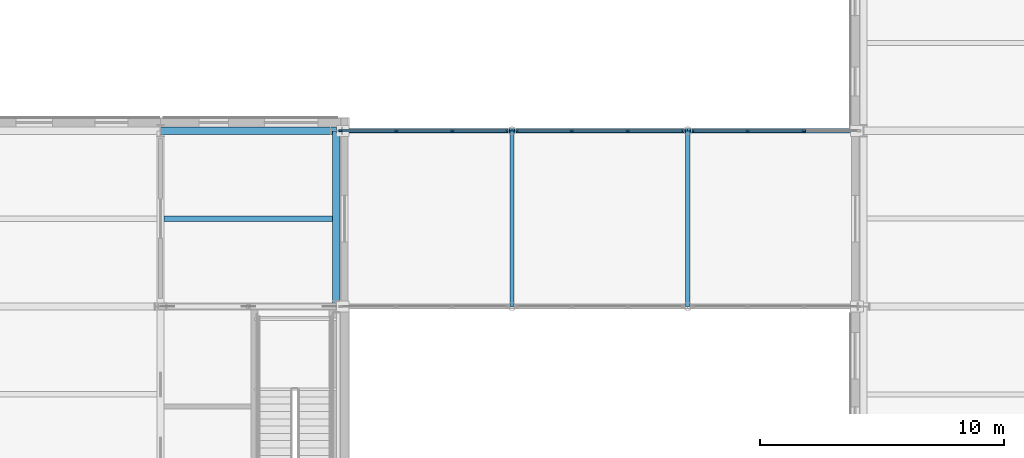
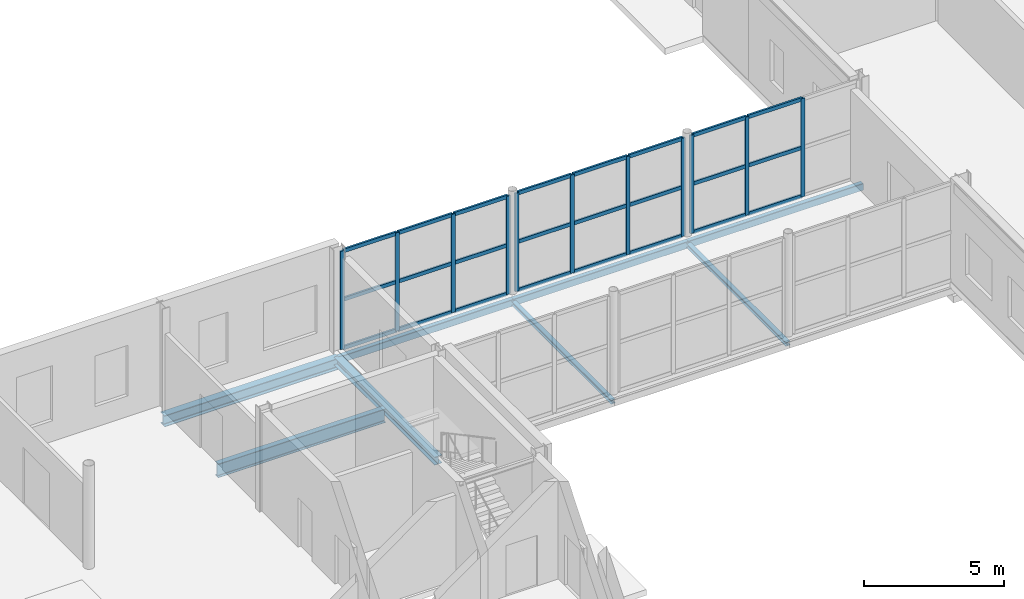
# One storey, part 30 of 92: 35 members, 8 beams, 3 elements without a shape of their own.
"""IFC4 building model written with IfcOpenShell, lengths in metres."""

from ifc_helpers import new_model, si_unit, direction, frame, origin, origin_2d, place, context, subcontext, project, spatial, rectangle, hollow_rectangle, i_section, extrude, material, material_profile, profile_set, type_object, element, aggregate, save


model = new_model("IFC4")

# Units and contexts
model_context = context("Model", 3, precision=1e-05, world=origin(), true_north=direction((0.0, 1.0)))
body_context = subcontext(model_context, "Body", "Model", "MODEL_VIEW")
ifc_project = project(units=[si_unit("LENGTHUNIT", "METRE"), si_unit("AREAUNIT", "SQUARE_METRE"), si_unit("VOLUMEUNIT", "CUBIC_METRE"), si_unit("PLANEANGLEUNIT", "RADIAN"), si_unit("MASSUNIT", "GRAM", prefix="KILO")], contexts=[model_context])

# Site, building, storey
site_placement = place(None, origin())
site = spatial("IfcSite", under=ifc_project, at=site_placement, CompositionType="ELEMENT")
building_placement = place(site_placement, origin())
building = spatial("IfcBuilding", under=site, at=building_placement, Name="Zlatovets Crest Museum", CompositionType="ELEMENT")
storey_placement = place(building_placement, origin())
storey = spatial("IfcBuildingStorey", under=building, at=storey_placement, Name="L00", CompositionType="ELEMENT", Elevation=0.0)

# Beams
ifc_material_1 = material(Name="Structural steel S355J2", Category="steel")
ifc_material_profile_1 = material_profile(ifc_material_1, i_section(OverallWidth=0.300048828125, OverallDepth=0.489990234375, WebThickness=0.011962890625, FlangeThickness=0.02294921875, FilletRadius=0.027099609375, at=origin_2d()), Name="HEA 500")
ifc_profile_set_1 = profile_set([ifc_material_profile_1], Name="Structural steel S355J2")
beam_type_1 = type_object("IfcBeamType", Name="Beam_B-01", PredefinedType="BEAM", material=ifc_profile_set_1)
beam_1_placement = place(storey_placement, frame((100.800048828125, 28.800048828125, -0.4951171875), z_axis=(1.0, 0.0, 0.0), x_axis=(0.0, 1.0, 0.0)))
element("IfcBeam", 1, at=beam_1_placement, inside=storey, type_object=beam_type_1, Name="V2 L00 Primary Girder B-01", PredefinedType="BEAM", context=body_context, shape_type="SweptSolid", body=[
    extrude(i_section(OverallWidth=0.300048828125, OverallDepth=0.489990234375, WebThickness=0.011962890625, FlangeThickness=0.02294921875, FilletRadius=0.027099609375, at=origin_2d()), origin(), (0.0, 0.0, 1.0), 7.199951171875),
])
ifc_material_profile_2 = material_profile(ifc_material_1, i_section(OverallWidth=0.300048828125, OverallDepth=0.35009765625, WebThickness=0.010009765625, FlangeThickness=0.017578125, FilletRadius=0.027099609375, at=origin_2d()), Name="HEA 360")
ifc_profile_set_2 = profile_set([ifc_material_profile_2], Name="Structural steel S355J2")
beam_type_2 = type_object("IfcBeamType", Name="Beam_B-03", PredefinedType="BEAM", material=ifc_profile_set_2)
beam_2_placement = place(storey_placement, frame((108.0, 21.60009765625, -0.425048828125), z_axis=(0.0, 1.0, 0.0), x_axis=(-1.0, 0.0, 0.0)))
element("IfcBeam", 2, at=beam_2_placement, inside=storey, type_object=beam_type_2, Name="V2 L00 Grid Beam B-03", PredefinedType="BEAM", context=body_context, shape_type="SweptSolid", body=[
    extrude(i_section(OverallWidth=0.300048828125, OverallDepth=0.35009765625, WebThickness=0.010009765625, FlangeThickness=0.017578125, FilletRadius=0.027099609375, at=origin_2d()), origin(), (0.0, 0.0, 1.0), 7.199951171875),
])
ifc_material_profile_3 = material_profile(ifc_material_1, i_section(OverallWidth=0.179931640625, OverallDepth=0.1708984375, WebThickness=0.006103515625, FlangeThickness=0.009521484375, FilletRadius=0.014892578125, at=origin_2d()), Name="HEA 180")
ifc_profile_set_3 = profile_set([ifc_material_profile_3], Name="Structural steel S355J2")
beam_type_3 = type_object("IfcBeamType", Name="Beam_B-16", PredefinedType="BEAM", material=ifc_profile_set_3)
for number, where, z_axis, x_axis, name in (
    (3, (115.199951171875, 21.60009765625, -0.39990234375), (0.0, 1.0, 0.0), (-1.0, 0.0, 0.0), "Southeast Archive Glazed Link Bridge L00 Cross Beam"),
    (4, (122.39990234375, 21.60009765625, -0.39990234375), (0.0, 1.0, 0.0), (-1.0, 0.0, 0.0), "Southeast Archive Glazed Link Bridge L00 Cross Beam"),
):
    element("IfcBeam", number, at=place(storey_placement, frame(where, z_axis=z_axis, x_axis=x_axis)), inside=storey, type_object=beam_type_3, Name=name, PredefinedType="BEAM", context=body_context, shape_type="SweptSolid", body=[
        extrude(i_section(OverallWidth=0.179931640625, OverallDepth=0.1708984375, WebThickness=0.006103515625, FlangeThickness=0.009521484375, FilletRadius=0.014892578125, at=origin_2d()), origin(), (0.0, 0.0, 1.0), 7.199951171875),
    ])
ifc_material_profile_4 = material_profile(ifc_material_1, hollow_rectangle(XDim=0.199951171875, YDim=0.300048828125, WallThickness=0.012451171875, InnerFilletRadius=0.012451171875, OuterFilletRadius=0.02490234375, at=origin_2d()), Name="RHS 200x300x12.5")
ifc_profile_set_4 = profile_set([ifc_material_profile_4], Name="Structural steel S355J2")
beam_type_4 = type_object("IfcBeamType", Name="Beam_BRG-01", PredefinedType="BEAM", material=ifc_profile_set_4)
for number, where, z_axis, x_axis, name in (
    (5, (108.0, 28.800048828125, -0.39990234375), (1.0, 0.0, 0.0), (0.0, 1.0, 0.0), "Southeast Archive Glazed Link Bridge L00 Stringer Beam"),
    (6, (115.199951171875, 28.800048828125, -0.39990234375), (1.0, 0.0, 0.0), (0.0, 1.0, 0.0), "Southeast Archive Glazed Link Bridge L00 Stringer Beam"),
):
    element("IfcBeam", number, at=place(storey_placement, frame(where, z_axis=z_axis, x_axis=x_axis)), inside=storey, type_object=beam_type_4, Name=name, PredefinedType="BEAM", context=body_context, shape_type="SweptSolid", body=[
        extrude(hollow_rectangle(XDim=0.199951171875, YDim=0.300048828125, WallThickness=0.012451171875, InnerFilletRadius=0.012451171875, OuterFilletRadius=0.02490234375, at=origin_2d()), origin(), (0.0, 0.0, 1.0), 7.199951171875),
    ])
beam_3_placement = place(storey_placement, frame((122.39990234375, 28.800048828125, -0.39990234375), z_axis=(1.0, 0.0, 0.0), x_axis=(0.0, 1.0, 0.0)))
element("IfcBeam", 7, at=beam_3_placement, inside=storey, type_object=beam_type_4, Name="Southeast Archive Glazed Link Bridge L00 Stringer Beam", PredefinedType="BEAM", context=body_context, shape_type="SweptSolid", body=[
    extrude(hollow_rectangle(XDim=0.199951171875, YDim=0.300048828125, WallThickness=0.012451171875, InnerFilletRadius=0.012451171875, OuterFilletRadius=0.02490234375, at=origin_2d()), origin(), (0.0, 0.0, 1.0), 7.2001953125),
])
ifc_material_profile_5 = material_profile(ifc_material_1, i_section(OverallWidth=0.219970703125, OverallDepth=0.60009765625, WebThickness=0.011962890625, FlangeThickness=0.01904296875, FilletRadius=0.02392578125, at=origin_2d()), Name="IPE 600")
ifc_profile_set_5 = profile_set([ifc_material_profile_5], Name="Structural steel S355J2")
beam_type_5 = type_object("IfcBeamType", Name="Beam_J-08", PredefinedType="BEAM", material=ifc_profile_set_5)
beam_4_placement = place(storey_placement, frame((100.949951171875, 25.199951171875, -0.550048828125), z_axis=(1.0, 0.0, 0.0), x_axis=(0.0, 1.0, 0.0)))
element("IfcBeam", 8, at=beam_4_placement, inside=storey, type_object=beam_type_5, Name="V2 L00 Composite Joist J-08", PredefinedType="BEAM", context=body_context, shape_type="SweptSolid", body=[
    extrude(i_section(OverallWidth=0.219970703125, OverallDepth=0.60009765625, WebThickness=0.011962890625, FlangeThickness=0.01904296875, FilletRadius=0.02392578125, at=origin_2d()), origin(), (0.0, 0.0, 1.0), 6.900146484375),
])

# Curtain wall, members
ifc_material_2 = material(Name="Bronze-anodised aluminium and low-E triple glass", Category="aluminium")
curtain_wall_type = type_object("IfcCurtainWallType", Name="CW_CW-BR4-L00-S69", PredefinedType="NOTDEFINED", material=ifc_material_2)
curtain_wall_1_placement = place(storey_placement, origin())
curtain_wall_1 = element("IfcCurtainWall", 9, at=curtain_wall_1_placement, inside=storey, type_object=curtain_wall_type, Name="Southeast Archive Glazed Link Bridge L00 Glazed Bridge Curtain Wall", PredefinedType="NOTDEFINED")
ifc_material_3 = material(Name="Bronze-anodised aluminium EN AW-6060", Category="aluminium")
ifc_material_profile_6 = material_profile(ifc_material_3, rectangle(XDim=0.080078125, YDim=0.159912109375, at=origin_2d()), Name="ALU 80x160")
ifc_profile_set_6 = profile_set([ifc_material_profile_6], Name="Bronze-anodised aluminium EN AW-6060")
member_type_1 = type_object("IfcMemberType", Name="CWMull_M1", PredefinedType="MULLION", material=ifc_profile_set_6)
member_1_placement = place(storey_placement, frame((108.179931640625, 28.800048828125, 0.0), z_axis=(0.0, 0.0, 1.0), x_axis=(0.0, 1.0, 0.0)))
member_1 = element("IfcMember", 10, at=member_1_placement, type_object=member_type_1, Name="CW-BR4-L00-S69 mullion 1", PredefinedType="MULLION", context=body_context, shape_type="SweptSolid", body=[
    extrude(rectangle(XDim=0.080078125, YDim=0.159912109375, at=origin_2d()), origin(), (0.0, 0.0, 1.0), 4.280029296875),
])
member_2_placement = place(storey_placement, frame((110.449951171875, 28.800048828125, 0.0), z_axis=(0.0, 0.0, 1.0), x_axis=(0.0, 1.0, 0.0)))
member_2 = element("IfcMember", 11, at=member_2_placement, type_object=member_type_1, Name="CW-BR4-L00-S69 mullion 2", PredefinedType="MULLION", context=body_context, shape_type="SweptSolid", body=[
    extrude(rectangle(XDim=0.080078125, YDim=0.159912109375, at=origin_2d()), origin(), (0.0, 0.0, 1.0), 4.280029296875),
])
member_3_placement = place(storey_placement, frame((112.75, 28.800048828125, 0.0), z_axis=(0.0, 0.0, 1.0), x_axis=(0.0, 1.0, 0.0)))
member_3 = element("IfcMember", 12, at=member_3_placement, type_object=member_type_1, Name="CW-BR4-L00-S69 mullion 3", PredefinedType="MULLION", context=body_context, shape_type="SweptSolid", body=[
    extrude(rectangle(XDim=0.080078125, YDim=0.159912109375, at=origin_2d()), origin(), (0.0, 0.0, 1.0), 4.280029296875),
])
member_4_placement = place(storey_placement, frame((115.02001953125, 28.800048828125, 0.0), z_axis=(0.0, 0.0, 1.0), x_axis=(0.0, 1.0, 0.0)))
member_4 = element("IfcMember", 13, at=member_4_placement, type_object=member_type_1, Name="CW-BR4-L00-S69 mullion 4", PredefinedType="MULLION", context=body_context, shape_type="SweptSolid", body=[
    extrude(rectangle(XDim=0.080078125, YDim=0.159912109375, at=origin_2d()), origin(), (0.0, 0.0, 1.0), 4.280029296875),
])

curtain_wall_2_placement = place(storey_placement, origin())
curtain_wall_2 = element("IfcCurtainWall", 14, at=curtain_wall_2_placement, inside=storey, type_object=curtain_wall_type, Name="Southeast Archive Glazed Link Bridge L00 Glazed Bridge Curtain Wall", PredefinedType="NOTDEFINED")
member_5_placement = place(storey_placement, frame((115.3798828125, 28.800048828125, 0.0), z_axis=(0.0, 0.0, 1.0), x_axis=(0.0, 1.0, 0.0)))
member_5 = element("IfcMember", 15, at=member_5_placement, type_object=member_type_1, Name="CW-BR4-L00-S69 mullion 1", PredefinedType="MULLION", context=body_context, shape_type="SweptSolid", body=[
    extrude(rectangle(XDim=0.080078125, YDim=0.159912109375, at=origin_2d()), origin(), (0.0, 0.0, 1.0), 4.280029296875),
])
member_6_placement = place(storey_placement, frame((117.64990234375, 28.800048828125, 0.0), z_axis=(0.0, 0.0, 1.0), x_axis=(0.0, 1.0, 0.0)))
member_6 = element("IfcMember", 16, at=member_6_placement, type_object=member_type_1, Name="CW-BR4-L00-S69 mullion 2", PredefinedType="MULLION", context=body_context, shape_type="SweptSolid", body=[
    extrude(rectangle(XDim=0.080078125, YDim=0.159912109375, at=origin_2d()), origin(), (0.0, 0.0, 1.0), 4.280029296875),
])
member_7_placement = place(storey_placement, frame((119.949951171875, 28.800048828125, 0.0), z_axis=(0.0, 0.0, 1.0), x_axis=(0.0, 1.0, 0.0)))
member_7 = element("IfcMember", 17, at=member_7_placement, type_object=member_type_1, Name="CW-BR4-L00-S69 mullion 3", PredefinedType="MULLION", context=body_context, shape_type="SweptSolid", body=[
    extrude(rectangle(XDim=0.080078125, YDim=0.159912109375, at=origin_2d()), origin(), (0.0, 0.0, 1.0), 4.280029296875),
])
member_8_placement = place(storey_placement, frame((122.219970703125, 28.800048828125, 0.0), z_axis=(0.0, 0.0, 1.0), x_axis=(0.0, 1.0, 0.0)))
member_8 = element("IfcMember", 18, at=member_8_placement, type_object=member_type_1, Name="CW-BR4-L00-S69 mullion 4", PredefinedType="MULLION", context=body_context, shape_type="SweptSolid", body=[
    extrude(rectangle(XDim=0.080078125, YDim=0.159912109375, at=origin_2d()), origin(), (0.0, 0.0, 1.0), 4.280029296875),
])

curtain_wall_3_placement = place(storey_placement, origin())
curtain_wall_3 = element("IfcCurtainWall", 19, at=curtain_wall_3_placement, inside=storey, type_object=curtain_wall_type, Name="Southeast Archive Glazed Link Bridge L00 Glazed Bridge Curtain Wall", PredefinedType="NOTDEFINED")
member_9_placement = place(storey_placement, frame((122.580078125, 28.800048828125, 0.0), z_axis=(0.0, 0.0, 1.0), x_axis=(0.0, 1.0, 0.0)))
member_9 = element("IfcMember", 20, at=member_9_placement, type_object=member_type_1, Name="CW-BR4-L00-S69 mullion 1", PredefinedType="MULLION", context=body_context, shape_type="SweptSolid", body=[
    extrude(rectangle(XDim=0.080078125, YDim=0.159912109375, at=origin_2d()), origin(), (0.0, 0.0, 1.0), 4.280029296875),
])
member_10_placement = place(storey_placement, frame((124.85009765625, 28.800048828125, 0.0), z_axis=(0.0, 0.0, 1.0), x_axis=(0.0, 1.0, 0.0)))
member_10 = element("IfcMember", 21, at=member_10_placement, type_object=member_type_1, Name="CW-BR4-L00-S69 mullion 2", PredefinedType="MULLION", context=body_context, shape_type="SweptSolid", body=[
    extrude(rectangle(XDim=0.080078125, YDim=0.159912109375, at=origin_2d()), origin(), (0.0, 0.0, 1.0), 4.280029296875),
])
member_11_placement = place(storey_placement, frame((127.14990234375, 28.800048828125, 0.0), z_axis=(0.0, 0.0, 1.0), x_axis=(0.0, 1.0, 0.0)))
member_11 = element("IfcMember", 22, at=member_11_placement, type_object=member_type_1, Name="CW-BR4-L00-S69 mullion 3", PredefinedType="MULLION", context=body_context, shape_type="SweptSolid", body=[
    extrude(rectangle(XDim=0.080078125, YDim=0.159912109375, at=origin_2d()), origin(), (0.0, 0.0, 1.0), 4.280029296875),
])

# Member
ifc_material_profile_7 = material_profile(ifc_material_3, rectangle(XDim=0.080078125, YDim=0.159912109375, at=origin_2d()), Name="ALU 80x160")
ifc_profile_set_7 = profile_set([ifc_material_profile_7], Name="Bronze-anodised aluminium EN AW-6060")
member_type_2 = type_object("IfcMemberType", Name="CWTrans_T1", PredefinedType="USERDEFINED", material=ifc_profile_set_7)
member_12_placement = place(storey_placement, frame((108.2099609375, 28.800048828125, 0.030029296875), z_axis=(1.0, 0.0, 0.0), x_axis=(0.0, 1.0, 0.0)))
member_12 = element("IfcMember", 23, at=member_12_placement, type_object=member_type_2, Name="CW-BR4-L00-S69 transom 1.1", ObjectType="TRANSOM", PredefinedType="USERDEFINED", context=body_context, shape_type="SweptSolid", body=[
    extrude(rectangle(XDim=0.080078125, YDim=0.159912109375, at=origin_2d()), origin(), (0.0, 0.0, 1.0), 2.2099609375),
])

member_13_placement = place(storey_placement, frame((108.2099609375, 28.800048828125, 2.139892578125), z_axis=(1.0, 0.0, 0.0), x_axis=(0.0, 1.0, 0.0)))
member_13 = element("IfcMember", 24, at=member_13_placement, type_object=member_type_2, Name="CW-BR4-L00-S69 transom 1.2", ObjectType="TRANSOM", PredefinedType="USERDEFINED", context=body_context, shape_type="SweptSolid", body=[
    extrude(rectangle(XDim=0.080078125, YDim=0.159912109375, at=origin_2d()), origin(), (0.0, 0.0, 1.0), 2.2099609375),
])

member_14_placement = place(storey_placement, frame((108.2099609375, 28.800048828125, 4.25), z_axis=(1.0, 0.0, 0.0), x_axis=(0.0, 1.0, 0.0)))
member_14 = element("IfcMember", 25, at=member_14_placement, type_object=member_type_2, Name="CW-BR4-L00-S69 transom 1.3", ObjectType="TRANSOM", PredefinedType="USERDEFINED", context=body_context, shape_type="SweptSolid", body=[
    extrude(rectangle(XDim=0.080078125, YDim=0.159912109375, at=origin_2d()), origin(), (0.0, 0.0, 1.0), 2.2099609375),
])

member_15_placement = place(storey_placement, frame((110.47998046875, 28.800048828125, 0.030029296875), z_axis=(1.0, 0.0, 0.0), x_axis=(0.0, 1.0, 0.0)))
member_15 = element("IfcMember", 26, at=member_15_placement, type_object=member_type_2, Name="CW-BR4-L00-S69 transom 2.1", ObjectType="TRANSOM", PredefinedType="USERDEFINED", context=body_context, shape_type="SweptSolid", body=[
    extrude(rectangle(XDim=0.080078125, YDim=0.159912109375, at=origin_2d()), origin(), (0.0, 0.0, 1.0), 2.239990234375),
])

member_16_placement = place(storey_placement, frame((110.47998046875, 28.800048828125, 2.139892578125), z_axis=(1.0, 0.0, 0.0), x_axis=(0.0, 1.0, 0.0)))
member_16 = element("IfcMember", 27, at=member_16_placement, type_object=member_type_2, Name="CW-BR4-L00-S69 transom 2.2", ObjectType="TRANSOM", PredefinedType="USERDEFINED", context=body_context, shape_type="SweptSolid", body=[
    extrude(rectangle(XDim=0.080078125, YDim=0.159912109375, at=origin_2d()), origin(), (0.0, 0.0, 1.0), 2.239990234375),
])

member_17_placement = place(storey_placement, frame((110.47998046875, 28.800048828125, 4.25), z_axis=(1.0, 0.0, 0.0), x_axis=(0.0, 1.0, 0.0)))
member_17 = element("IfcMember", 28, at=member_17_placement, type_object=member_type_2, Name="CW-BR4-L00-S69 transom 2.3", ObjectType="TRANSOM", PredefinedType="USERDEFINED", context=body_context, shape_type="SweptSolid", body=[
    extrude(rectangle(XDim=0.080078125, YDim=0.159912109375, at=origin_2d()), origin(), (0.0, 0.0, 1.0), 2.239990234375),
])

member_18_placement = place(storey_placement, frame((112.780029296875, 28.800048828125, 0.030029296875), z_axis=(1.0, 0.0, 0.0), x_axis=(0.0, 1.0, 0.0)))
member_18 = element("IfcMember", 29, at=member_18_placement, type_object=member_type_2, Name="CW-BR4-L00-S69 transom 3.1", ObjectType="TRANSOM", PredefinedType="USERDEFINED", context=body_context, shape_type="SweptSolid", body=[
    extrude(rectangle(XDim=0.080078125, YDim=0.159912109375, at=origin_2d()), origin(), (0.0, 0.0, 1.0), 2.2099609375),
])

member_19_placement = place(storey_placement, frame((112.780029296875, 28.800048828125, 2.139892578125), z_axis=(1.0, 0.0, 0.0), x_axis=(0.0, 1.0, 0.0)))
member_19 = element("IfcMember", 30, at=member_19_placement, type_object=member_type_2, Name="CW-BR4-L00-S69 transom 3.2", ObjectType="TRANSOM", PredefinedType="USERDEFINED", context=body_context, shape_type="SweptSolid", body=[
    extrude(rectangle(XDim=0.080078125, YDim=0.159912109375, at=origin_2d()), origin(), (0.0, 0.0, 1.0), 2.2099609375),
])

member_20_placement = place(storey_placement, frame((112.780029296875, 28.800048828125, 4.25), z_axis=(1.0, 0.0, 0.0), x_axis=(0.0, 1.0, 0.0)))
member_20 = element("IfcMember", 31, at=member_20_placement, type_object=member_type_2, Name="CW-BR4-L00-S69 transom 3.3", ObjectType="TRANSOM", PredefinedType="USERDEFINED", context=body_context, shape_type="SweptSolid", body=[
    extrude(rectangle(XDim=0.080078125, YDim=0.159912109375, at=origin_2d()), origin(), (0.0, 0.0, 1.0), 2.2099609375),
])

aggregate(curtain_wall_1, [member_1, member_2, member_3, member_4, member_12, member_13, member_14, member_15, member_16, member_17, member_18, member_19, member_20])

member_21_placement = place(storey_placement, frame((115.409912109375, 28.800048828125, 0.030029296875), z_axis=(1.0, 0.0, 0.0), x_axis=(0.0, 1.0, 0.0)))
member_21 = element("IfcMember", 32, at=member_21_placement, type_object=member_type_2, Name="CW-BR4-L00-S69 transom 1.1", ObjectType="TRANSOM", PredefinedType="USERDEFINED", context=body_context, shape_type="SweptSolid", body=[
    extrude(rectangle(XDim=0.080078125, YDim=0.159912109375, at=origin_2d()), origin(), (0.0, 0.0, 1.0), 2.210205078125),
])

member_22_placement = place(storey_placement, frame((115.409912109375, 28.800048828125, 2.139892578125), z_axis=(1.0, 0.0, 0.0), x_axis=(0.0, 1.0, 0.0)))
member_22 = element("IfcMember", 33, at=member_22_placement, type_object=member_type_2, Name="CW-BR4-L00-S69 transom 1.2", ObjectType="TRANSOM", PredefinedType="USERDEFINED", context=body_context, shape_type="SweptSolid", body=[
    extrude(rectangle(XDim=0.080078125, YDim=0.159912109375, at=origin_2d()), origin(), (0.0, 0.0, 1.0), 2.210205078125),
])

member_23_placement = place(storey_placement, frame((115.409912109375, 28.800048828125, 4.25), z_axis=(1.0, 0.0, 0.0), x_axis=(0.0, 1.0, 0.0)))
member_23 = element("IfcMember", 34, at=member_23_placement, type_object=member_type_2, Name="CW-BR4-L00-S69 transom 1.3", ObjectType="TRANSOM", PredefinedType="USERDEFINED", context=body_context, shape_type="SweptSolid", body=[
    extrude(rectangle(XDim=0.080078125, YDim=0.159912109375, at=origin_2d()), origin(), (0.0, 0.0, 1.0), 2.210205078125),
])

member_24_placement = place(storey_placement, frame((117.679931640625, 28.800048828125, 0.030029296875), z_axis=(1.0, 0.0, 0.0), x_axis=(0.0, 1.0, 0.0)))
member_24 = element("IfcMember", 35, at=member_24_placement, type_object=member_type_2, Name="CW-BR4-L00-S69 transom 2.1", ObjectType="TRANSOM", PredefinedType="USERDEFINED", context=body_context, shape_type="SweptSolid", body=[
    extrude(rectangle(XDim=0.080078125, YDim=0.159912109375, at=origin_2d()), origin(), (0.0, 0.0, 1.0), 2.239990234375),
])

member_25_placement = place(storey_placement, frame((117.679931640625, 28.800048828125, 2.139892578125), z_axis=(1.0, 0.0, 0.0), x_axis=(0.0, 1.0, 0.0)))
member_25 = element("IfcMember", 36, at=member_25_placement, type_object=member_type_2, Name="CW-BR4-L00-S69 transom 2.2", ObjectType="TRANSOM", PredefinedType="USERDEFINED", context=body_context, shape_type="SweptSolid", body=[
    extrude(rectangle(XDim=0.080078125, YDim=0.159912109375, at=origin_2d()), origin(), (0.0, 0.0, 1.0), 2.239990234375),
])

member_26_placement = place(storey_placement, frame((117.679931640625, 28.800048828125, 4.25), z_axis=(1.0, 0.0, 0.0), x_axis=(0.0, 1.0, 0.0)))
member_26 = element("IfcMember", 37, at=member_26_placement, type_object=member_type_2, Name="CW-BR4-L00-S69 transom 2.3", ObjectType="TRANSOM", PredefinedType="USERDEFINED", context=body_context, shape_type="SweptSolid", body=[
    extrude(rectangle(XDim=0.080078125, YDim=0.159912109375, at=origin_2d()), origin(), (0.0, 0.0, 1.0), 2.239990234375),
])

member_27_placement = place(storey_placement, frame((119.97998046875, 28.800048828125, 0.030029296875), z_axis=(1.0, 0.0, 0.0), x_axis=(0.0, 1.0, 0.0)))
member_27 = element("IfcMember", 38, at=member_27_placement, type_object=member_type_2, Name="CW-BR4-L00-S69 transom 3.1", ObjectType="TRANSOM", PredefinedType="USERDEFINED", context=body_context, shape_type="SweptSolid", body=[
    extrude(rectangle(XDim=0.080078125, YDim=0.159912109375, at=origin_2d()), origin(), (0.0, 0.0, 1.0), 2.2099609375),
])

member_28_placement = place(storey_placement, frame((119.97998046875, 28.800048828125, 2.139892578125), z_axis=(1.0, 0.0, 0.0), x_axis=(0.0, 1.0, 0.0)))
member_28 = element("IfcMember", 39, at=member_28_placement, type_object=member_type_2, Name="CW-BR4-L00-S69 transom 3.2", ObjectType="TRANSOM", PredefinedType="USERDEFINED", context=body_context, shape_type="SweptSolid", body=[
    extrude(rectangle(XDim=0.080078125, YDim=0.159912109375, at=origin_2d()), origin(), (0.0, 0.0, 1.0), 2.2099609375),
])

member_29_placement = place(storey_placement, frame((119.97998046875, 28.800048828125, 4.25), z_axis=(1.0, 0.0, 0.0), x_axis=(0.0, 1.0, 0.0)))
member_29 = element("IfcMember", 40, at=member_29_placement, type_object=member_type_2, Name="CW-BR4-L00-S69 transom 3.3", ObjectType="TRANSOM", PredefinedType="USERDEFINED", context=body_context, shape_type="SweptSolid", body=[
    extrude(rectangle(XDim=0.080078125, YDim=0.159912109375, at=origin_2d()), origin(), (0.0, 0.0, 1.0), 2.2099609375),
])

aggregate(curtain_wall_2, [member_5, member_6, member_7, member_8, member_21, member_22, member_23, member_24, member_25, member_26, member_27, member_28, member_29])

member_30_placement = place(storey_placement, frame((122.610107421875, 28.800048828125, 0.030029296875), z_axis=(1.0, 0.0, 0.0), x_axis=(0.0, 1.0, 0.0)))
member_30 = element("IfcMember", 41, at=member_30_placement, type_object=member_type_2, Name="CW-BR4-L00-S69 transom 1.1", ObjectType="TRANSOM", PredefinedType="USERDEFINED", context=body_context, shape_type="SweptSolid", body=[
    extrude(rectangle(XDim=0.080078125, YDim=0.159912109375, at=origin_2d()), origin(), (0.0, 0.0, 1.0), 2.2099609375),
])

member_31_placement = place(storey_placement, frame((122.610107421875, 28.800048828125, 2.139892578125), z_axis=(1.0, 0.0, 0.0), x_axis=(0.0, 1.0, 0.0)))
member_31 = element("IfcMember", 42, at=member_31_placement, type_object=member_type_2, Name="CW-BR4-L00-S69 transom 1.2", ObjectType="TRANSOM", PredefinedType="USERDEFINED", context=body_context, shape_type="SweptSolid", body=[
    extrude(rectangle(XDim=0.080078125, YDim=0.159912109375, at=origin_2d()), origin(), (0.0, 0.0, 1.0), 2.2099609375),
])

member_32_placement = place(storey_placement, frame((122.610107421875, 28.800048828125, 4.25), z_axis=(1.0, 0.0, 0.0), x_axis=(0.0, 1.0, 0.0)))
member_32 = element("IfcMember", 43, at=member_32_placement, type_object=member_type_2, Name="CW-BR4-L00-S69 transom 1.3", ObjectType="TRANSOM", PredefinedType="USERDEFINED", context=body_context, shape_type="SweptSolid", body=[
    extrude(rectangle(XDim=0.080078125, YDim=0.159912109375, at=origin_2d()), origin(), (0.0, 0.0, 1.0), 2.2099609375),
])

member_33_placement = place(storey_placement, frame((124.8798828125, 28.800048828125, 0.030029296875), z_axis=(1.0, 0.0, 0.0), x_axis=(0.0, 1.0, 0.0)))
member_33 = element("IfcMember", 44, at=member_33_placement, type_object=member_type_2, Name="CW-BR4-L00-S69 transom 2.1", ObjectType="TRANSOM", PredefinedType="USERDEFINED", context=body_context, shape_type="SweptSolid", body=[
    extrude(rectangle(XDim=0.080078125, YDim=0.159912109375, at=origin_2d()), origin(), (0.0, 0.0, 1.0), 2.240234375),
])

member_34_placement = place(storey_placement, frame((124.8798828125, 28.800048828125, 2.139892578125), z_axis=(1.0, 0.0, 0.0), x_axis=(0.0, 1.0, 0.0)))
member_34 = element("IfcMember", 45, at=member_34_placement, type_object=member_type_2, Name="CW-BR4-L00-S69 transom 2.2", ObjectType="TRANSOM", PredefinedType="USERDEFINED", context=body_context, shape_type="SweptSolid", body=[
    extrude(rectangle(XDim=0.080078125, YDim=0.159912109375, at=origin_2d()), origin(), (0.0, 0.0, 1.0), 2.240234375),
])

member_35_placement = place(storey_placement, frame((124.8798828125, 28.800048828125, 4.25), z_axis=(1.0, 0.0, 0.0), x_axis=(0.0, 1.0, 0.0)))
member_35 = element("IfcMember", 46, at=member_35_placement, type_object=member_type_2, Name="CW-BR4-L00-S69 transom 2.3", ObjectType="TRANSOM", PredefinedType="USERDEFINED", context=body_context, shape_type="SweptSolid", body=[
    extrude(rectangle(XDim=0.080078125, YDim=0.159912109375, at=origin_2d()), origin(), (0.0, 0.0, 1.0), 2.240234375),
])

aggregate(curtain_wall_3, [member_9, member_10, member_11, member_30, member_31, member_32, member_33, member_34, member_35])

save(model, "model.ifc")
